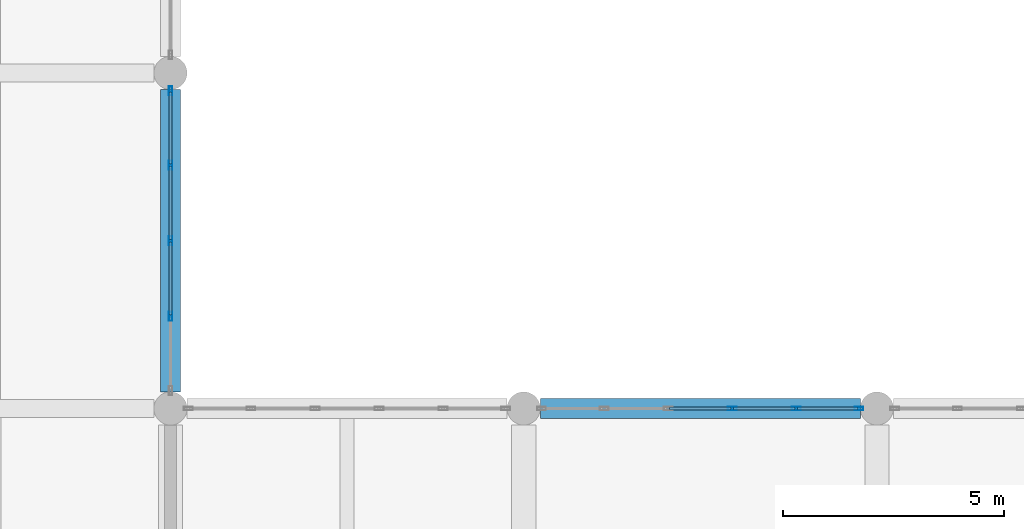
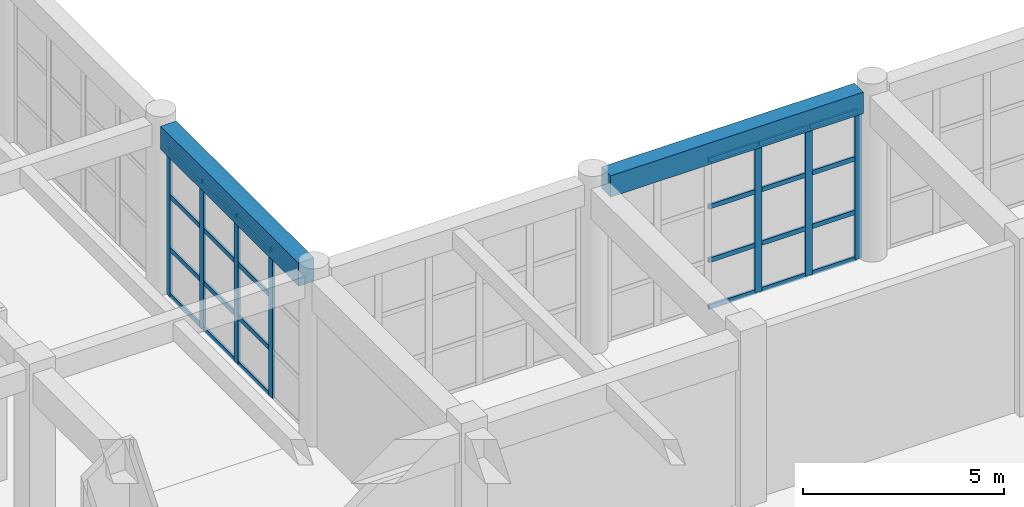
# One storey, part 16 of 95: 31 members, 2 beams, 2 elements without a shape of their own.
"""IFC4 building model written with IfcOpenShell, lengths in metres."""

from ifc_helpers import new_model, si_unit, direction, frame, origin, origin_2d, place, context, subcontext, project, spatial, rectangle, hollow_rectangle, extrude, material, material_profile, profile_set, type_object, element, aggregate, save


model = new_model("IFC4")

# Units and contexts
model_context = context("Model", 3, precision=1e-05, world=origin(), true_north=direction((0.0, 1.0)))
body_context = subcontext(model_context, "Body", "Model", "MODEL_VIEW")
ifc_project = project(units=[si_unit("LENGTHUNIT", "METRE"), si_unit("AREAUNIT", "SQUARE_METRE"), si_unit("VOLUMEUNIT", "CUBIC_METRE"), si_unit("PLANEANGLEUNIT", "RADIAN"), si_unit("MASSUNIT", "GRAM", prefix="KILO")], contexts=[model_context])

# Site, building, storey
site_placement = place(None, origin())
site = spatial("IfcSite", under=ifc_project, at=site_placement, CompositionType="ELEMENT")
building_placement = place(site_placement, origin())
building = spatial("IfcBuilding", under=site, at=building_placement, Name="Zantavel Square City Hall", CompositionType="ELEMENT")
storey_placement = place(building_placement, origin())
storey = spatial("IfcBuildingStorey", under=building, at=storey_placement, Name="L01", CompositionType="ELEMENT", Elevation=0.0)

# Curtain wall, members
ifc_material_1 = material(Name="Anodised aluminium 6063-T6", Category="aluminium")
curtain_wall_type_1 = type_object("IfcCurtainWallType", Name="Curtain Wall CRT 6850x4460", PredefinedType="USERDEFINED", material=ifc_material_1)
curtain_wall_1_placement = place(storey_placement, origin())
curtain_wall_1 = element("IfcCurtainWall", 1, at=curtain_wall_1_placement, inside=storey, type_object=curtain_wall_type_1, Name="L01 Glazed Curtain Wall CW-L01-009", ObjectType="GLAZED CURTAIN WALL", PredefinedType="USERDEFINED")
ifc_material_profile_1 = material_profile(ifc_material_1, hollow_rectangle(XDim=0.070068359375, YDim=0.199951171875, WallThickness=0.00439453125, at=origin_2d()), Name="ALU 70x200x4.5")
ifc_profile_set_1 = profile_set([ifc_material_profile_1], Name="Anodised aluminium 6063-T6")
member_type_1 = type_object("IfcMemberType", Name="CW Heavy Hall Mullion ALU 70x200x4.5", PredefinedType="MULLION", material=ifc_profile_set_1)
member_1_placement = place(storey_placement, frame((16.0, 45.195068359375, 0.0), z_axis=(0.0, 0.0, 1.0), x_axis=(1.0, 0.0, 0.0)))
member_1 = element("IfcMember", 2, at=member_1_placement, type_object=member_type_1, Name="CW-009 mullion 1", PredefinedType="MULLION", context=body_context, shape_type="SweptSolid", body=[
    extrude(hollow_rectangle(XDim=0.070068359375, YDim=0.199951171875, WallThickness=0.00439453125, at=origin_2d()), origin(), (0.0, 0.0, 1.0), 4.4599609375),
])
member_2_placement = place(storey_placement, frame((16.0, 43.512451171875, 0.0), z_axis=(0.0, 0.0, 1.0), x_axis=(1.0, 0.0, 0.0)))
member_2 = element("IfcMember", 3, at=member_2_placement, type_object=member_type_1, Name="CW-009 mullion 2", PredefinedType="MULLION", context=body_context, shape_type="SweptSolid", body=[
    extrude(hollow_rectangle(XDim=0.070068359375, YDim=0.199951171875, WallThickness=0.00439453125, at=origin_2d()), origin(), (0.0, 0.0, 1.0), 4.4599609375),
])
member_3_placement = place(storey_placement, frame((16.0, 41.800048828125, 0.0), z_axis=(0.0, 0.0, 1.0), x_axis=(1.0, 0.0, 0.0)))
member_3 = element("IfcMember", 4, at=member_3_placement, type_object=member_type_1, Name="CW-009 mullion 3", PredefinedType="MULLION", context=body_context, shape_type="SweptSolid", body=[
    extrude(hollow_rectangle(XDim=0.070068359375, YDim=0.199951171875, WallThickness=0.00439453125, at=origin_2d()), origin(), (0.0, 0.0, 1.0), 4.4599609375),
])
member_4_placement = place(storey_placement, frame((16.0, 40.08740234375, 0.0), z_axis=(0.0, 0.0, 1.0), x_axis=(1.0, 0.0, 0.0)))
member_4 = element("IfcMember", 5, at=member_4_placement, type_object=member_type_1, Name="CW-009 mullion 4", PredefinedType="MULLION", context=body_context, shape_type="SweptSolid", body=[
    extrude(hollow_rectangle(XDim=0.070068359375, YDim=0.199951171875, WallThickness=0.00439453125, at=origin_2d()), origin(), (0.0, 0.0, 1.0), 4.4599609375),
])

curtain_wall_type_2 = type_object("IfcCurtainWallType", Name="Curtain Wall CRT 7250x4510", PredefinedType="USERDEFINED", material=ifc_material_1)
curtain_wall_2_placement = place(storey_placement, origin())
curtain_wall_2 = element("IfcCurtainWall", 6, at=curtain_wall_2_placement, inside=storey, type_object=curtain_wall_type_2, Name="L01 Glazed Curtain Wall CW-L01-011", ObjectType="GLAZED CURTAIN WALL", PredefinedType="USERDEFINED")
member_5_placement = place(storey_placement, frame((28.72509765625, 38.0, 0.0), z_axis=(0.0, 0.0, 1.0), x_axis=(0.0, 1.0, 0.0)))
member_5 = element("IfcMember", 7, at=member_5_placement, type_object=member_type_1, Name="CW-011 mullion 4", PredefinedType="MULLION", context=body_context, shape_type="SweptSolid", body=[
    extrude(hollow_rectangle(XDim=0.070068359375, YDim=0.199951171875, WallThickness=0.00439453125, at=origin_2d()), origin(), (0.0, 0.0, 1.0), 4.510009765625),
])
member_6_placement = place(storey_placement, frame((30.175048828125, 38.0, 0.0), z_axis=(0.0, 0.0, 1.0), x_axis=(0.0, 1.0, 0.0)))
member_6 = element("IfcMember", 8, at=member_6_placement, type_object=member_type_1, Name="CW-011 mullion 5", PredefinedType="MULLION", context=body_context, shape_type="SweptSolid", body=[
    extrude(hollow_rectangle(XDim=0.070068359375, YDim=0.199951171875, WallThickness=0.00439453125, at=origin_2d()), origin(), (0.0, 0.0, 1.0), 4.510009765625),
])
member_7_placement = place(storey_placement, frame((31.594970703125, 38.0, 0.0), z_axis=(0.0, 0.0, 1.0), x_axis=(0.0, 1.0, 0.0)))
member_7 = element("IfcMember", 9, at=member_7_placement, type_object=member_type_1, Name="CW-011 mullion 6", PredefinedType="MULLION", context=body_context, shape_type="SweptSolid", body=[
    extrude(hollow_rectangle(XDim=0.070068359375, YDim=0.199951171875, WallThickness=0.00439453125, at=origin_2d()), origin(), (0.0, 0.0, 1.0), 4.510009765625),
])

# Member
ifc_material_profile_2 = material_profile(ifc_material_1, hollow_rectangle(XDim=0.06005859375, YDim=0.139892578125, WallThickness=0.00390625, at=origin_2d()), Name="ALU 60x140x4")
ifc_profile_set_2 = profile_set([ifc_material_profile_2], Name="Anodised aluminium 6063-T6")
member_type_2 = type_object("IfcMemberType", Name="CW Transom ALU 60x140x4", PredefinedType="USERDEFINED", material=ifc_profile_set_2)
member_8_placement = place(storey_placement, frame((16.0, 45.1650390625, 0.030029296875), z_axis=(0.0, -1.0, 0.0), x_axis=(1.0, 0.0, 0.0)))
member_8 = element("IfcMember", 10, at=member_8_placement, type_object=member_type_2, Name="CW-009 transom 1.1", ObjectType="TRANSOM", PredefinedType="USERDEFINED", context=body_context, shape_type="SweptSolid", body=[
    extrude(hollow_rectangle(XDim=0.06005859375, YDim=0.139892578125, WallThickness=0.00390625, at=origin_2d()), origin(), (0.0, 0.0, 1.0), 1.62255859375),
])

member_9_placement = place(storey_placement, frame((16.0, 45.1650390625, 1.427001953125), z_axis=(0.0, -1.0, 0.0), x_axis=(1.0, 0.0, 0.0)))
member_9 = element("IfcMember", 11, at=member_9_placement, type_object=member_type_2, Name="CW-009 transom 1.2", ObjectType="TRANSOM", PredefinedType="USERDEFINED", context=body_context, shape_type="SweptSolid", body=[
    extrude(hollow_rectangle(XDim=0.06005859375, YDim=0.139892578125, WallThickness=0.00390625, at=origin_2d()), origin(), (0.0, 0.0, 1.0), 1.62255859375),
])

member_10_placement = place(storey_placement, frame((16.0, 45.1650390625, 3.032958984375), z_axis=(0.0, -1.0, 0.0), x_axis=(1.0, 0.0, 0.0)))
member_10 = element("IfcMember", 12, at=member_10_placement, type_object=member_type_2, Name="CW-009 transom 1.3", ObjectType="TRANSOM", PredefinedType="USERDEFINED", context=body_context, shape_type="SweptSolid", body=[
    extrude(hollow_rectangle(XDim=0.06005859375, YDim=0.139892578125, WallThickness=0.00390625, at=origin_2d()), origin(), (0.0, 0.0, 1.0), 1.62255859375),
])

member_11_placement = place(storey_placement, frame((16.0, 45.1650390625, 4.429931640625), z_axis=(0.0, -1.0, 0.0), x_axis=(1.0, 0.0, 0.0)))
member_11 = element("IfcMember", 13, at=member_11_placement, type_object=member_type_2, Name="CW-009 transom 1.4", ObjectType="TRANSOM", PredefinedType="USERDEFINED", context=body_context, shape_type="SweptSolid", body=[
    extrude(hollow_rectangle(XDim=0.06005859375, YDim=0.139892578125, WallThickness=0.00390625, at=origin_2d()), origin(), (0.0, 0.0, 1.0), 1.62255859375),
])

member_12_placement = place(storey_placement, frame((16.0, 43.482421875, 0.030029296875), z_axis=(0.0, -1.0, 0.0), x_axis=(1.0, 0.0, 0.0)))
member_12 = element("IfcMember", 14, at=member_12_placement, type_object=member_type_2, Name="CW-009 transom 2.1", ObjectType="TRANSOM", PredefinedType="USERDEFINED", context=body_context, shape_type="SweptSolid", body=[
    extrude(hollow_rectangle(XDim=0.06005859375, YDim=0.139892578125, WallThickness=0.00390625, at=origin_2d()), origin(), (0.0, 0.0, 1.0), 1.65234375),
])

member_13_placement = place(storey_placement, frame((16.0, 43.482421875, 1.427001953125), z_axis=(0.0, -1.0, 0.0), x_axis=(1.0, 0.0, 0.0)))
member_13 = element("IfcMember", 15, at=member_13_placement, type_object=member_type_2, Name="CW-009 transom 2.2", ObjectType="TRANSOM", PredefinedType="USERDEFINED", context=body_context, shape_type="SweptSolid", body=[
    extrude(hollow_rectangle(XDim=0.06005859375, YDim=0.139892578125, WallThickness=0.00390625, at=origin_2d()), origin(), (0.0, 0.0, 1.0), 1.65234375),
])

member_14_placement = place(storey_placement, frame((16.0, 43.482421875, 3.032958984375), z_axis=(0.0, -1.0, 0.0), x_axis=(1.0, 0.0, 0.0)))
member_14 = element("IfcMember", 16, at=member_14_placement, type_object=member_type_2, Name="CW-009 transom 2.3", ObjectType="TRANSOM", PredefinedType="USERDEFINED", context=body_context, shape_type="SweptSolid", body=[
    extrude(hollow_rectangle(XDim=0.06005859375, YDim=0.139892578125, WallThickness=0.00390625, at=origin_2d()), origin(), (0.0, 0.0, 1.0), 1.65234375),
])

member_15_placement = place(storey_placement, frame((16.0, 43.482421875, 4.429931640625), z_axis=(0.0, -1.0, 0.0), x_axis=(1.0, 0.0, 0.0)))
member_15 = element("IfcMember", 17, at=member_15_placement, type_object=member_type_2, Name="CW-009 transom 2.4", ObjectType="TRANSOM", PredefinedType="USERDEFINED", context=body_context, shape_type="SweptSolid", body=[
    extrude(hollow_rectangle(XDim=0.06005859375, YDim=0.139892578125, WallThickness=0.00390625, at=origin_2d()), origin(), (0.0, 0.0, 1.0), 1.65234375),
])

member_16_placement = place(storey_placement, frame((16.0, 41.77001953125, 0.030029296875), z_axis=(0.0, -1.0, 0.0), x_axis=(1.0, 0.0, 0.0)))
member_16 = element("IfcMember", 18, at=member_16_placement, type_object=member_type_2, Name="CW-009 transom 3.1", ObjectType="TRANSOM", PredefinedType="USERDEFINED", context=body_context, shape_type="SweptSolid", body=[
    extrude(hollow_rectangle(XDim=0.06005859375, YDim=0.139892578125, WallThickness=0.00390625, at=origin_2d()), origin(), (0.0, 0.0, 1.0), 1.652587890625),
])

member_17_placement = place(storey_placement, frame((16.0, 41.77001953125, 1.427001953125), z_axis=(0.0, -1.0, 0.0), x_axis=(1.0, 0.0, 0.0)))
member_17 = element("IfcMember", 19, at=member_17_placement, type_object=member_type_2, Name="CW-009 transom 3.2", ObjectType="TRANSOM", PredefinedType="USERDEFINED", context=body_context, shape_type="SweptSolid", body=[
    extrude(hollow_rectangle(XDim=0.06005859375, YDim=0.139892578125, WallThickness=0.00390625, at=origin_2d()), origin(), (0.0, 0.0, 1.0), 1.652587890625),
])

member_18_placement = place(storey_placement, frame((16.0, 41.77001953125, 3.032958984375), z_axis=(0.0, -1.0, 0.0), x_axis=(1.0, 0.0, 0.0)))
member_18 = element("IfcMember", 20, at=member_18_placement, type_object=member_type_2, Name="CW-009 transom 3.3", ObjectType="TRANSOM", PredefinedType="USERDEFINED", context=body_context, shape_type="SweptSolid", body=[
    extrude(hollow_rectangle(XDim=0.06005859375, YDim=0.139892578125, WallThickness=0.00390625, at=origin_2d()), origin(), (0.0, 0.0, 1.0), 1.652587890625),
])

member_19_placement = place(storey_placement, frame((16.0, 41.77001953125, 4.429931640625), z_axis=(0.0, -1.0, 0.0), x_axis=(1.0, 0.0, 0.0)))
member_19 = element("IfcMember", 21, at=member_19_placement, type_object=member_type_2, Name="CW-009 transom 3.4", ObjectType="TRANSOM", PredefinedType="USERDEFINED", context=body_context, shape_type="SweptSolid", body=[
    extrude(hollow_rectangle(XDim=0.06005859375, YDim=0.139892578125, WallThickness=0.00390625, at=origin_2d()), origin(), (0.0, 0.0, 1.0), 1.652587890625),
])

aggregate(curtain_wall_1, [member_1, member_2, member_3, member_4, member_8, member_9, member_10, member_11, member_12, member_13, member_14, member_15, member_16, member_17, member_18, member_19])

member_20_placement = place(storey_placement, frame((27.304931640625, 38.0, 0.030029296875), z_axis=(1.0, 0.0, 0.0), x_axis=(0.0, 1.0, 0.0)))
member_20 = element("IfcMember", 22, at=member_20_placement, type_object=member_type_2, Name="CW-011 transom 3.1", ObjectType="TRANSOM", PredefinedType="USERDEFINED", context=body_context, shape_type="SweptSolid", body=[
    extrude(hollow_rectangle(XDim=0.06005859375, YDim=0.139892578125, WallThickness=0.00390625, at=origin_2d()), origin(), (0.0, 0.0, 1.0), 1.39013671875),
])

member_21_placement = place(storey_placement, frame((27.304931640625, 38.0, 1.443115234375), z_axis=(1.0, 0.0, 0.0), x_axis=(0.0, 1.0, 0.0)))
member_21 = element("IfcMember", 23, at=member_21_placement, type_object=member_type_2, Name="CW-011 transom 3.2", ObjectType="TRANSOM", PredefinedType="USERDEFINED", context=body_context, shape_type="SweptSolid", body=[
    extrude(hollow_rectangle(XDim=0.06005859375, YDim=0.139892578125, WallThickness=0.00390625, at=origin_2d()), origin(), (0.0, 0.0, 1.0), 1.39013671875),
])

member_22_placement = place(storey_placement, frame((27.304931640625, 38.0, 3.06689453125), z_axis=(1.0, 0.0, 0.0), x_axis=(0.0, 1.0, 0.0)))
member_22 = element("IfcMember", 24, at=member_22_placement, type_object=member_type_2, Name="CW-011 transom 3.3", ObjectType="TRANSOM", PredefinedType="USERDEFINED", context=body_context, shape_type="SweptSolid", body=[
    extrude(hollow_rectangle(XDim=0.06005859375, YDim=0.139892578125, WallThickness=0.00390625, at=origin_2d()), origin(), (0.0, 0.0, 1.0), 1.39013671875),
])

member_23_placement = place(storey_placement, frame((27.304931640625, 38.0, 4.47998046875), z_axis=(1.0, 0.0, 0.0), x_axis=(0.0, 1.0, 0.0)))
member_23 = element("IfcMember", 25, at=member_23_placement, type_object=member_type_2, Name="CW-011 transom 3.4", ObjectType="TRANSOM", PredefinedType="USERDEFINED", context=body_context, shape_type="SweptSolid", body=[
    extrude(hollow_rectangle(XDim=0.06005859375, YDim=0.139892578125, WallThickness=0.00390625, at=origin_2d()), origin(), (0.0, 0.0, 1.0), 1.39013671875),
])

member_24_placement = place(storey_placement, frame((28.7548828125, 38.0, 0.030029296875), z_axis=(1.0, 0.0, 0.0), x_axis=(0.0, 1.0, 0.0)))
member_24 = element("IfcMember", 26, at=member_24_placement, type_object=member_type_2, Name="CW-011 transom 4.1", ObjectType="TRANSOM", PredefinedType="USERDEFINED", context=body_context, shape_type="SweptSolid", body=[
    extrude(hollow_rectangle(XDim=0.06005859375, YDim=0.139892578125, WallThickness=0.00390625, at=origin_2d()), origin(), (0.0, 0.0, 1.0), 1.39013671875),
])

member_25_placement = place(storey_placement, frame((28.7548828125, 38.0, 1.443115234375), z_axis=(1.0, 0.0, 0.0), x_axis=(0.0, 1.0, 0.0)))
member_25 = element("IfcMember", 27, at=member_25_placement, type_object=member_type_2, Name="CW-011 transom 4.2", ObjectType="TRANSOM", PredefinedType="USERDEFINED", context=body_context, shape_type="SweptSolid", body=[
    extrude(hollow_rectangle(XDim=0.06005859375, YDim=0.139892578125, WallThickness=0.00390625, at=origin_2d()), origin(), (0.0, 0.0, 1.0), 1.39013671875),
])

member_26_placement = place(storey_placement, frame((28.7548828125, 38.0, 3.06689453125), z_axis=(1.0, 0.0, 0.0), x_axis=(0.0, 1.0, 0.0)))
member_26 = element("IfcMember", 28, at=member_26_placement, type_object=member_type_2, Name="CW-011 transom 4.3", ObjectType="TRANSOM", PredefinedType="USERDEFINED", context=body_context, shape_type="SweptSolid", body=[
    extrude(hollow_rectangle(XDim=0.06005859375, YDim=0.139892578125, WallThickness=0.00390625, at=origin_2d()), origin(), (0.0, 0.0, 1.0), 1.39013671875),
])

member_27_placement = place(storey_placement, frame((28.7548828125, 38.0, 4.47998046875), z_axis=(1.0, 0.0, 0.0), x_axis=(0.0, 1.0, 0.0)))
member_27 = element("IfcMember", 29, at=member_27_placement, type_object=member_type_2, Name="CW-011 transom 4.4", ObjectType="TRANSOM", PredefinedType="USERDEFINED", context=body_context, shape_type="SweptSolid", body=[
    extrude(hollow_rectangle(XDim=0.06005859375, YDim=0.139892578125, WallThickness=0.00390625, at=origin_2d()), origin(), (0.0, 0.0, 1.0), 1.39013671875),
])

member_28_placement = place(storey_placement, frame((30.205078125, 38.0, 0.030029296875), z_axis=(1.0, 0.0, 0.0), x_axis=(0.0, 1.0, 0.0)))
member_28 = element("IfcMember", 30, at=member_28_placement, type_object=member_type_2, Name="CW-011 transom 5.1", ObjectType="TRANSOM", PredefinedType="USERDEFINED", context=body_context, shape_type="SweptSolid", body=[
    extrude(hollow_rectangle(XDim=0.06005859375, YDim=0.139892578125, WallThickness=0.00390625, at=origin_2d()), origin(), (0.0, 0.0, 1.0), 1.35986328125),
])

member_29_placement = place(storey_placement, frame((30.205078125, 38.0, 1.443115234375), z_axis=(1.0, 0.0, 0.0), x_axis=(0.0, 1.0, 0.0)))
member_29 = element("IfcMember", 31, at=member_29_placement, type_object=member_type_2, Name="CW-011 transom 5.2", ObjectType="TRANSOM", PredefinedType="USERDEFINED", context=body_context, shape_type="SweptSolid", body=[
    extrude(hollow_rectangle(XDim=0.06005859375, YDim=0.139892578125, WallThickness=0.00390625, at=origin_2d()), origin(), (0.0, 0.0, 1.0), 1.35986328125),
])

member_30_placement = place(storey_placement, frame((30.205078125, 38.0, 3.06689453125), z_axis=(1.0, 0.0, 0.0), x_axis=(0.0, 1.0, 0.0)))
member_30 = element("IfcMember", 32, at=member_30_placement, type_object=member_type_2, Name="CW-011 transom 5.3", ObjectType="TRANSOM", PredefinedType="USERDEFINED", context=body_context, shape_type="SweptSolid", body=[
    extrude(hollow_rectangle(XDim=0.06005859375, YDim=0.139892578125, WallThickness=0.00390625, at=origin_2d()), origin(), (0.0, 0.0, 1.0), 1.35986328125),
])

member_31_placement = place(storey_placement, frame((30.205078125, 38.0, 4.47998046875), z_axis=(1.0, 0.0, 0.0), x_axis=(0.0, 1.0, 0.0)))
member_31 = element("IfcMember", 33, at=member_31_placement, type_object=member_type_2, Name="CW-011 transom 5.4", ObjectType="TRANSOM", PredefinedType="USERDEFINED", context=body_context, shape_type="SweptSolid", body=[
    extrude(hollow_rectangle(XDim=0.06005859375, YDim=0.139892578125, WallThickness=0.00390625, at=origin_2d()), origin(), (0.0, 0.0, 1.0), 1.35986328125),
])

aggregate(curtain_wall_2, [member_5, member_6, member_7, member_20, member_21, member_22, member_23, member_24, member_25, member_26, member_27, member_28, member_29, member_30, member_31])

# Beams
ifc_material_2 = material(Name="Concrete C35/45", Category="concrete")
ifc_material_profile_3 = material_profile(ifc_material_2, rectangle(XDim=0.449951171875, YDim=0.64990234375, at=origin_2d()), Name="RC 450x650")
ifc_profile_set_3 = profile_set([ifc_material_profile_3], Name="Concrete C35/45")
beam_type_1 = type_object("IfcBeamType", Name="Courtyard Cloister Girder RC 450x650 C35/45", PredefinedType="BEAM", material=ifc_profile_set_3)
beam_1_placement = place(storey_placement, frame((24.375, 38.0, 4.8349609375), z_axis=(1.0, 0.0, 0.0), x_axis=(0.0, 1.0, 0.0)))
element("IfcBeam", 34, at=beam_1_placement, inside=storey, type_object=beam_type_1, Name="L01 Girder BMX-L01-0240-0380", PredefinedType="BEAM", context=body_context, shape_type="SweptSolid", body=[
    extrude(rectangle(XDim=0.449951171875, YDim=0.64990234375, at=origin_2d()), origin(), (0.0, 0.0, 1.0), 7.25),
])
ifc_material_profile_4 = material_profile(ifc_material_2, rectangle(XDim=0.449951171875, YDim=0.699951171875, at=origin_2d()), Name="RC 450x700")
ifc_profile_set_4 = profile_set([ifc_material_profile_4], Name="Concrete C35/45")
beam_type_2 = type_object("IfcBeamType", Name="Primary Girder RC 450x700 C35/45", PredefinedType="BEAM", material=ifc_profile_set_4)
beam_2_placement = place(storey_placement, frame((16.0, 38.375, 4.81005859375), z_axis=(0.0, 1.0, 0.0), x_axis=(-1.0, 0.0, 0.0)))
element("IfcBeam", 35, at=beam_2_placement, inside=storey, type_object=beam_type_2, Name="L01 Beam BMY-L01-0160-0380", PredefinedType="BEAM", context=body_context, shape_type="SweptSolid", body=[
    extrude(rectangle(XDim=0.449951171875, YDim=0.699951171875, at=origin_2d()), origin(), (0.0, 0.0, 1.0), 6.85009765625),
])

save(model, "model.ifc")
